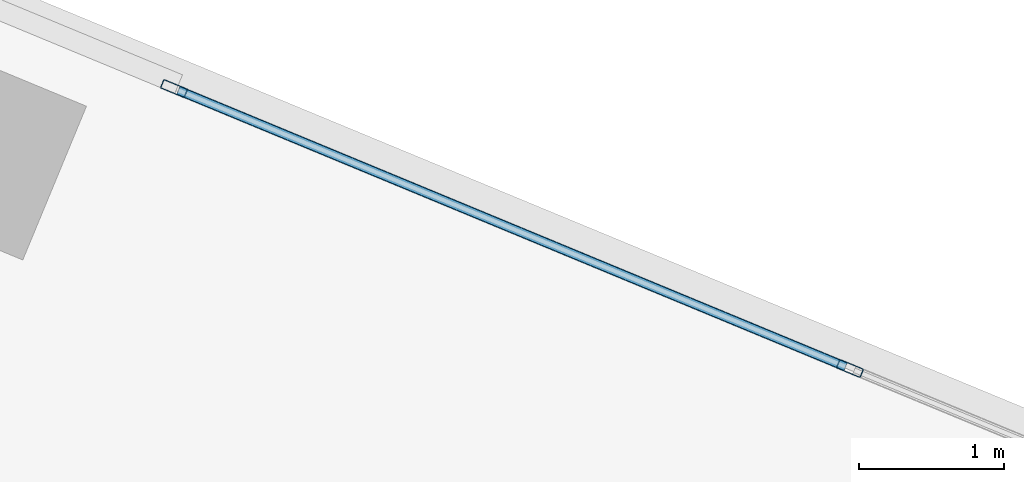
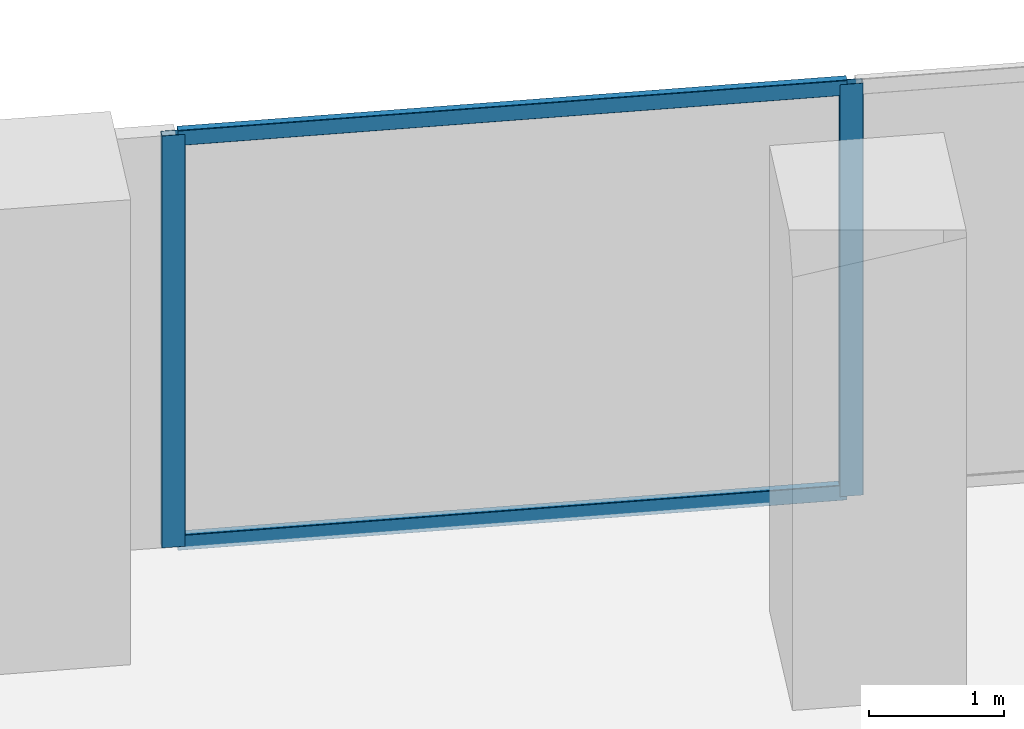
# One storey, part 10 of 24: 4 members, 1 element without a shape of its own.
"""IFC4 building model written with IfcOpenShell, lengths in metres."""

import ifcopenshell
import ifcopenshell.guid

model = None  # the IFC model being written
_history = None  # IfcOwnerHistory: only IFC2X3 demands one
_inside = {}  # id of a spatial element -> (the spatial element, [elements in it])
_under = {}  # id of a project, library or spatial element -> (it, [spatial elements below it])
_declared = {}  # id of a project -> (the project, [libraries it declares])
_typed = {}  # id of a type object -> (the type object, [elements of that type])
_made_of = {}  # id of a material, layer set ... -> (it, [elements and type objects made of it])


def new_model(schema):
    """Start an empty IFC model of exactly this schema.

    Asked for "IFC4X3", IfcOpenShell would pick the latest addendum, in which some entities
    have other attributes; the version numbers below select the first issue.
    IFC2X3 requires an IfcOwnerHistory on every rooted entity: one is made here for all.
    """
    global model, _history
    if schema == "IFC4X3":
        model = ifcopenshell.file(schema_version=(4, 3, 0, 0))
    else:
        model = ifcopenshell.file(schema=schema)
    _inside.clear()
    _under.clear()
    _declared.clear()
    _typed.clear()
    _made_of.clear()
    _history = None
    if model.schema == "IFC2X3":
        org = make("IfcOrganization", Name="unknown")
        user = make(
            "IfcPersonAndOrganization",
            ThePerson=make("IfcPerson", FamilyName="unknown"),
            TheOrganization=org,
        )
        app = make(
            "IfcApplication",
            ApplicationDeveloper=org,
            Version="unknown",
            ApplicationFullName="unknown",
            ApplicationIdentifier="unknown",
        )
        _history = make(
            "IfcOwnerHistory",
            OwningUser=user,
            OwningApplication=app,
            ChangeAction="ADDED",
            CreationDate=0,
        )
    return model


def make(cls, **values):
    """One entity of the class cls with the attributes given. An attribute that is None is left unset."""
    return model.create_entity(
        cls, **{name: value for name, value in values.items() if value is not None}
    )


def rooted(cls, **values):
    """An entity with a GlobalId (a new one), such as an element, a storey or a relation."""
    return make(cls, GlobalId=ifcopenshell.guid.new(), OwnerHistory=_history, **values)


def si_unit(unit_type, name, prefix=None):
    """IfcSIUnit, for example si_unit("LENGTHUNIT", "METRE", prefix="MILLI")."""
    return make("IfcSIUnit", UnitType=unit_type, Prefix=prefix, Name=name)


def assignment(units):
    """IfcUnitAssignment: the units of a project."""
    return None if units is None else make("IfcUnitAssignment", Units=units)


def point(xyz):
    """IfcCartesianPoint."""
    return None if xyz is None else make("IfcCartesianPoint", Coordinates=xyz)


def direction(xyz):
    """IfcDirection."""
    return None if xyz is None else make("IfcDirection", DirectionRatios=xyz)


def frame(location, z_axis=None, x_axis=None):
    """IfcAxis2Placement3D, a coordinate frame: its origin and axes. An axis left out is left unset."""
    return make(
        "IfcAxis2Placement3D",
        Location=point(location),
        Axis=direction(z_axis),
        RefDirection=direction(x_axis),
    )


def frame_2d(location, x_axis=None):
    """IfcAxis2Placement2D, a coordinate frame in the plane: its origin and x axis."""
    return make(
        "IfcAxis2Placement2D", Location=point(location), RefDirection=direction(x_axis)
    )


def origin():
    """The frame at (0, 0, 0) with its axes left unset."""
    return frame((0.0, 0.0, 0.0))


def origin_2d():
    """The frame at (0, 0) in the plane with its x axis left unset."""
    return frame_2d((0.0, 0.0))


def place(relative_to, where):
    """IfcLocalPlacement: puts the frame where relative to a parent placement (None: the world)."""
    return make(
        "IfcLocalPlacement", PlacementRelTo=relative_to, RelativePlacement=where
    )


def context(
    kind, dimensions, precision=None, world=None, true_north=None, identifier=None
):
    """IfcGeometricRepresentationContext, for example the 3D "Model" context."""
    return make(
        "IfcGeometricRepresentationContext",
        ContextIdentifier=identifier,
        ContextType=kind,
        CoordinateSpaceDimension=dimensions,
        Precision=precision,
        WorldCoordinateSystem=world,
        TrueNorth=true_north,
    )


def subcontext(parent, identifier, kind, view, scale=None):
    """IfcGeometricRepresentationSubContext, for example "Body" below "Model"."""
    return make(
        "IfcGeometricRepresentationSubContext",
        ContextIdentifier=identifier,
        ContextType=kind,
        ParentContext=parent,
        TargetScale=scale,
        TargetView=view,
    )


def project(units=None, contexts=None):
    """IfcProject with its units and contexts."""
    return rooted(
        "IfcProject",
        Name="project",
        RepresentationContexts=contexts,
        UnitsInContext=assignment(units),
    )


def spatial(cls, under=None, at=None, **own):
    """A site, building, storey or space (cls), placed at a placement, below another one or the project."""
    s = rooted(cls, ObjectPlacement=at, **own)
    if under is not None:
        _under.setdefault(under.id(), (under, []))[1].append(s)
    return s


def profile(cls, at=None, kind="AREA", **sizes):
    """A parametric profile (cls). Its sizes go by their IFC names, for example OverallWidth=200.0."""
    return make(cls, ProfileType=kind, Position=at, **sizes)


def hollow_rectangle(**sizes):
    """IfcRectangleHollowProfileDef."""
    return profile("IfcRectangleHollowProfileDef", **sizes)


def extrude(swept, where, along, depth):
    """IfcExtrudedAreaSolid: the profile swept, set in the frame where, extruded along a direction by depth."""
    return make(
        "IfcExtrudedAreaSolid",
        SweptArea=swept,
        Position=where,
        ExtrudedDirection=direction(along),
        Depth=depth,
    )


def shape(context_of_items, identifier, shape_type, items):
    """IfcShapeRepresentation: the items that make up one representation, for example the "Body"."""
    return make(
        "IfcShapeRepresentation",
        ContextOfItems=context_of_items,
        RepresentationIdentifier=identifier,
        RepresentationType=shape_type,
        Items=items,
    )


def source(mapping_origin, context_of_items, identifier, shape_type, items):
    """IfcRepresentationMap: a shape defined once, which mapped items show again and again."""
    return make(
        "IfcRepresentationMap",
        MappingOrigin=mapping_origin,
        MappedRepresentation=shape(context_of_items, identifier, shape_type, items),
    )


def transform(
    local_origin,
    x_axis=None,
    y_axis=None,
    z_axis=None,
    scale=None,
    scale2=None,
    scale3=None,
    uniform=True,
):
    """IfcCartesianTransformationOperator3D, or its non-uniform kind. x_axis, y_axis, z_axis: its Axis1, 2, 3."""
    if uniform:
        return make(
            "IfcCartesianTransformationOperator3D",
            Axis1=direction(x_axis),
            Axis2=direction(y_axis),
            LocalOrigin=point(local_origin),
            Scale=scale,
            Axis3=direction(z_axis),
        )
    return make(
        "IfcCartesianTransformationOperator3DnonUniform",
        Axis1=direction(x_axis),
        Axis2=direction(y_axis),
        LocalOrigin=point(local_origin),
        Scale=scale,
        Axis3=direction(z_axis),
        Scale2=scale2,
        Scale3=scale3,
    )


def mapped(mapping_source, mapping_target):
    """IfcMappedItem: shows the shape of a source again, moved by a transform."""
    return make(
        "IfcMappedItem", MappingSource=mapping_source, MappingTarget=mapping_target
    )


def material(Name=None, Category=None):
    """IfcMaterial."""
    return make("IfcMaterial", Name=Name, Category=Category)


def material_profile(
    of_material, cross_section, Name=None, Category=None, Priority=None
):
    """IfcMaterialProfile: a cross section and its material."""
    return make(
        "IfcMaterialProfile",
        Name=Name,
        Material=of_material,
        Profile=cross_section,
        Priority=Priority,
        Category=Category,
    )


def profile_set(profiles, Name=None, composite=None):
    """IfcMaterialProfileSet."""
    return make(
        "IfcMaterialProfileSet",
        Name=Name,
        MaterialProfiles=profiles,
        CompositeProfile=composite,
    )


def made_of(thing, what):
    """Note that an element or type object is made of a material, layer set ...; save() writes the relation."""
    if what is not None:
        _made_of.setdefault(what.id(), (what, []))[1].append(thing)
    return thing


def type_object(cls, material=None, **own):
    """A type object (cls), such as IfcWallType, which elements share."""
    return made_of(rooted(cls, **own), material)


def element(
    cls,
    number,
    at=None,
    inside=None,
    cuts=None,
    type_object=None,
    material=None,
    context=None,
    identifier="Body",
    shape_type=None,
    held_by="IfcProductDefinitionShape",
    body=None,
    shapes=None,
    **own,
):
    """One element of the class cls, such as IfcWall. Its Tag is "e" and its number.

    at: its placement. inside: the storey or other place that contains it. cuts: it is an
    opening in that element (IfcRelVoidsElement). A single representation is given by context,
    identifier, shape_type and body (its items); several are given by shapes. held_by: the class
    of the entity that holds the representations. save() writes the other relations.
    """
    e = rooted(cls, Tag="e%d" % number, ObjectPlacement=at, **own)
    if body is not None:
        shapes = [shape(context, identifier, shape_type, body)]
    if shapes is not None:
        e.Representation = make(held_by, Representations=shapes)
    if inside is not None:
        _inside.setdefault(inside.id(), (inside, []))[1].append(e)
    if cuts is not None:
        rooted(
            "IfcRelVoidsElement", RelatingBuildingElement=cuts, RelatedOpeningElement=e
        )
    if type_object is not None:
        _typed.setdefault(type_object.id(), (type_object, []))[1].append(e)
    return made_of(e, material)


def aggregate(whole, parts):
    """IfcRelAggregates: a whole, such as a stair, and the parts it consists of."""
    return rooted("IfcRelAggregates", RelatingObject=whole, RelatedObjects=parts)


def save(model, path):
    """Write the relations noted so far, then the file.

    IfcRelAggregates (storeys below a building ...), IfcRelContainedInSpatialStructure (elements
    in a storey), IfcRelDefinesByType, IfcRelAssociatesMaterial and IfcRelDeclares: one each for
    every whole, place, type object, material and project.
    """
    for whole, parts in _under.values():
        aggregate(whole, parts)
    for where, things in _inside.values():
        rooted(
            "IfcRelContainedInSpatialStructure",
            RelatedElements=things,
            RelatingStructure=where,
        )
    for kind, things in _typed.values():
        rooted("IfcRelDefinesByType", RelatedObjects=things, RelatingType=kind)
    for what, things in _made_of.values():
        rooted("IfcRelAssociatesMaterial", RelatedObjects=things, RelatingMaterial=what)
    for by, libraries in _declared.values():
        rooted("IfcRelDeclares", RelatingContext=by, RelatedDefinitions=libraries)
    model.write(path)


model = new_model("IFC4")

# Units and contexts
model_context = context("Model", 3, precision=1e-05, world=origin(), true_north=direction((0.0, 1.0)))
body_context = subcontext(model_context, "Body", "Model", "MODEL_VIEW")
ifc_project = project(units=[si_unit("LENGTHUNIT", "METRE"), si_unit("AREAUNIT", "SQUARE_METRE"), si_unit("VOLUMEUNIT", "CUBIC_METRE"), si_unit("PLANEANGLEUNIT", "RADIAN"), si_unit("MASSUNIT", "GRAM", prefix="KILO")], contexts=[model_context])

# Site, building, storey
site_placement = place(None, origin())
site = spatial("IfcSite", under=ifc_project, at=site_placement, CompositionType="ELEMENT")
building_placement = place(site_placement, origin())
building = spatial("IfcBuilding", under=site, at=building_placement, Name="Torre Montelarca", CompositionType="ELEMENT")
storey_placement = place(building_placement, frame((0.0, 0.0, 141.39990234375)))
storey = spatial("IfcBuildingStorey", under=building, at=storey_placement, Name="L31", CompositionType="ELEMENT", Elevation=141.39990234375)

# Curtain wall, members
ifc_material_1 = material(Name="Insulated low-E laminated glass", Category="glass")
curtain_wall_type = type_object("IfcCurtainWallType", Name="CW-SYS-Z2", PredefinedType="USERDEFINED", material=ifc_material_1)
curtain_wall_placement = place(storey_placement, origin())
curtain_wall = element("IfcCurtainWall", 1, at=curtain_wall_placement, inside=storey, type_object=curtain_wall_type, Name="L31 Curtain Wall Run CW-T3-L31-E08-B1", ObjectType="UNITISED GLAZING", PredefinedType="USERDEFINED")
ifc_material_2 = material(Name="Anodised aluminium AA 6063-T6", Category="aluminium")
ifc_material_profile_1 = material_profile(ifc_material_2, hollow_rectangle(XDim=0.06494140625, YDim=0.179931640625, WallThickness=0.00390625, InnerFilletRadius=0.00390625, OuterFilletRadius=0.008056640625, at=origin_2d()), Name="ALU65X180X4", Category="aluminium")
ifc_profile_set_1 = profile_set([ifc_material_profile_1], Name="Anodised aluminium AA 6063-T6")
member_type_1 = type_object("IfcMemberType", Name="CWM-ALU180", PredefinedType="MULLION", material=ifc_profile_set_1)
shared_shape_1 = source(origin(), body_context, "Body", "SweptSolid", [
    extrude(hollow_rectangle(XDim=0.06494140625, YDim=0.179931640625, WallThickness=0.00390625, InnerFilletRadius=0.00390625, OuterFilletRadius=0.008056640625, at=origin_2d()), origin(), (0.0, 0.0, 1.0), 3.72021484375),
])
member_1_placement = place(storey_placement, frame((46.722900390625, 38.9462890625, 0.0), z_axis=(0.0, 0.0, 1.0), x_axis=(-0.382680914615, -0.923880575394, 0.0)))
member_1 = element("IfcMember", 2, at=member_1_placement, type_object=member_type_1, Name="CW mullion 2", PredefinedType="MULLION", context=body_context, shape_type="MappedRepresentation", body=[
    mapped(shared_shape_1, transform((0.0, 0.0, 0.0), scale=1.0)),
])
member_2_placement = place(storey_placement, frame((42.050537109375, 40.881591796875, 0.0), z_axis=(0.0, 0.0, 1.0), x_axis=(-0.382680914615, -0.923880575394, 0.0)))
member_2 = element("IfcMember", 3, at=member_2_placement, type_object=member_type_1, Name="CW mullion 3", PredefinedType="MULLION", context=body_context, shape_type="MappedRepresentation", body=[
    mapped(shared_shape_1, transform((0.0, 0.0, 0.0), scale=1.0)),
])
ifc_material_profile_2 = material_profile(ifc_material_2, hollow_rectangle(XDim=0.06494140625, YDim=0.139892578125, WallThickness=0.00390625, InnerFilletRadius=0.00390625, OuterFilletRadius=0.008056640625, at=origin_2d()), Name="ALU65X140X4", Category="aluminium")
ifc_profile_set_2 = profile_set([ifc_material_profile_2], Name="Anodised aluminium AA 6063-T6")
member_type_2 = type_object("IfcMemberType", Name="CWT-ALU140", PredefinedType="USERDEFINED", material=ifc_profile_set_2)
shared_shape_2 = source(origin(), body_context, "Body", "SweptSolid", [
    extrude(hollow_rectangle(XDim=0.06494140625, YDim=0.139892578125, WallThickness=0.00390625, InnerFilletRadius=0.00390625, OuterFilletRadius=0.008056640625, at=origin_2d()), origin(), (0.0, 0.0, 1.0), 4.9921875),
])
member_3_placement = place(storey_placement, frame((46.69287109375, 38.958740234375, 0.03271484375), z_axis=(-0.92388511052, 0.382669965584, 0.0), x_axis=(-0.382669965584, -0.92388511052, 0.0)))
member_3 = element("IfcMember", 4, at=member_3_placement, type_object=member_type_2, Name="CW transom 2.1", ObjectType="TRANSOM", PredefinedType="USERDEFINED", context=body_context, shape_type="MappedRepresentation", body=[
    mapped(shared_shape_2, transform((0.0, 0.0, 0.0), scale=1.0)),
])
member_4_placement = place(storey_placement, frame((46.69287109375, 38.958740234375, 3.6875), z_axis=(-0.92388511052, 0.382669965584, 0.0), x_axis=(-0.382669965584, -0.92388511052, 0.0)))
member_4 = element("IfcMember", 5, at=member_4_placement, type_object=member_type_2, Name="CW transom 2.2", ObjectType="TRANSOM", PredefinedType="USERDEFINED", context=body_context, shape_type="MappedRepresentation", body=[
    mapped(shared_shape_2, transform((0.0, 0.0, 0.0), scale=1.0)),
])
aggregate(curtain_wall, [member_1, member_2, member_3, member_4])

save(model, "model.ifc")
